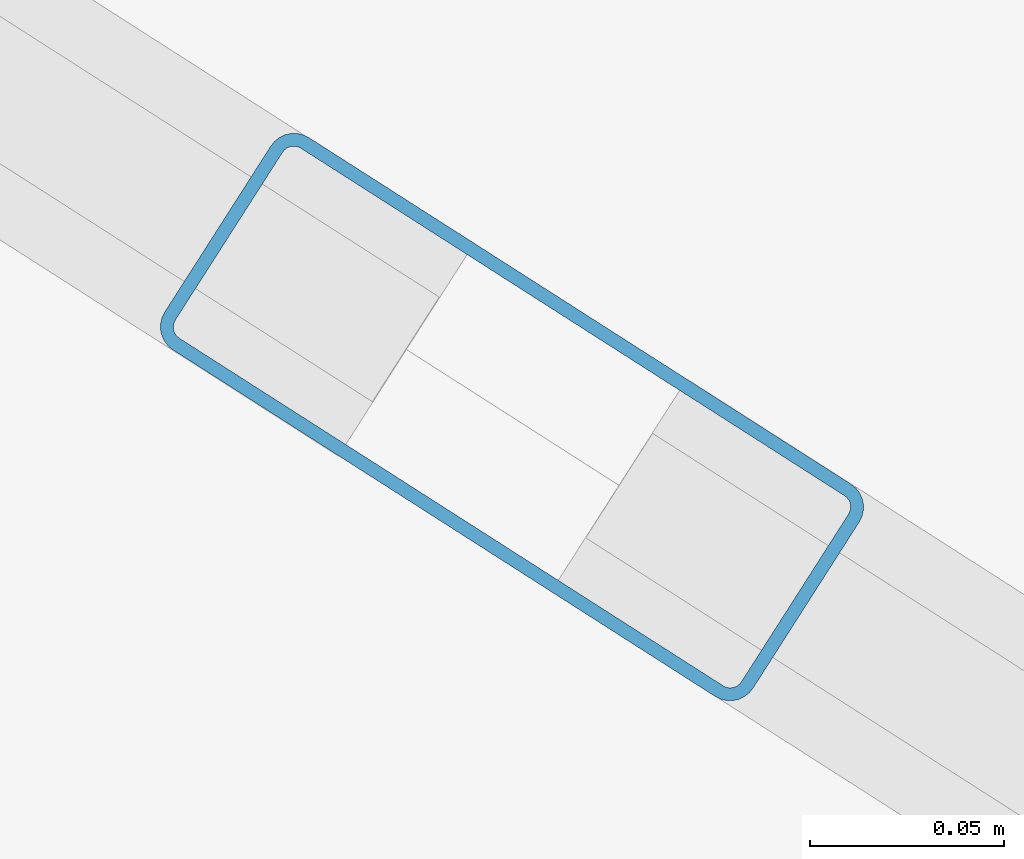
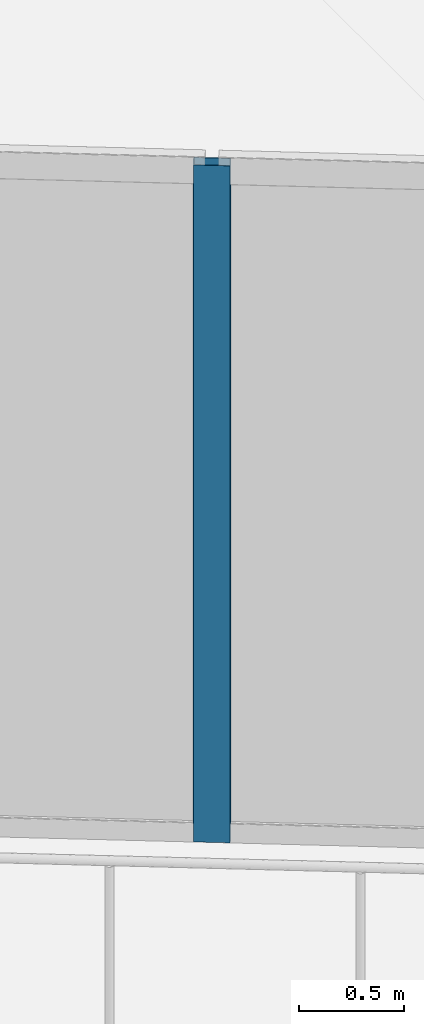
# One storey, part 8 of 45: 1 member, 1 element without a shape of its own.
"""IFC4 building model written with IfcOpenShell, lengths in metres."""

from ifc_helpers import new_model, si_unit, direction, frame, origin, origin_2d, place, context, subcontext, project, spatial, hollow_rectangle, extrude, material, layer, layer_set, material_profile, profile_set, type_object, element, aggregate, save


model = new_model("IFC4")

# Units and contexts
model_context = context("Model", 3, precision=1e-05, world=origin(), true_north=direction((0.0, 1.0)))
body_context = subcontext(model_context, "Body", "Model", "MODEL_VIEW")
ifc_project = project(units=[si_unit("LENGTHUNIT", "METRE"), si_unit("AREAUNIT", "SQUARE_METRE"), si_unit("VOLUMEUNIT", "CUBIC_METRE"), si_unit("PLANEANGLEUNIT", "RADIAN"), si_unit("MASSUNIT", "GRAM", prefix="KILO")], contexts=[model_context])

# Site, building, storey
site_placement = place(None, origin())
site = spatial("IfcSite", under=ifc_project, at=site_placement, CompositionType="ELEMENT")
building_placement = place(site_placement, origin())
building = spatial("IfcBuilding", under=site, at=building_placement, Name="Qorvath Tower", CompositionType="ELEMENT")
storey_placement = place(building_placement, frame((0.0, 0.0, 66.0)))
storey = spatial("IfcBuildingStorey", under=building, at=storey_placement, Name="L14", CompositionType="ELEMENT", Elevation=66.0)

# Curtain wall, member
ifc_material_1 = material(Name="Anodised aluminium and triple low-E glass", Category="aluminium")
ifc_layer = layer(ifc_material_1, 0.179931640625)
ifc_layer_set = layer_set([ifc_layer], Name="CW-SYS-2")
curtain_wall_type = type_object("IfcCurtainWallType", Name="CW-SYS-2", PredefinedType="NOTDEFINED", material=ifc_layer_set)
curtain_wall_placement = place(storey_placement, origin())
curtain_wall = element("IfcCurtainWall", 1, at=curtain_wall_placement, inside=storey, type_object=curtain_wall_type, Name="Curtain Wall CW-2 CW-T-L14-2.2", PredefinedType="NOTDEFINED")
ifc_material_2 = material(Name="Anodised aluminium 6063-T6", Category="aluminium")
ifc_material_profile = material_profile(ifc_material_2, hollow_rectangle(XDim=0.06494140625, YDim=0.179931640625, WallThickness=0.00341796875, InnerFilletRadius=0.00341796875, OuterFilletRadius=0.007080078125, at=origin_2d()), Name="CWM 180x65")
ifc_profile_set = profile_set([ifc_material_profile], Name="Anodised aluminium 6063-T6")
member_type = type_object("IfcMemberType", Name="CWM-180", PredefinedType="MULLION", material=ifc_profile_set)
member_placement = place(storey_placement, frame((-30.03955078125, -23.02197265625, 0.0), z_axis=(0.0, 0.0, 1.0), x_axis=(0.538537072857, 0.842601816494, 0.0)))
member = element("IfcMember", 2, at=member_placement, type_object=member_type, Name="CW-2 mullion 3", PredefinedType="MULLION", context=body_context, shape_type="SweptSolid", body=[
    extrude(hollow_rectangle(XDim=0.06494140625, YDim=0.179931640625, WallThickness=0.00341796875, InnerFilletRadius=0.00341796875, OuterFilletRadius=0.007080078125, at=origin_2d()), origin(), (0.0, 0.0, 1.0), 3.919921875),
])
aggregate(curtain_wall, [member])

save(model, "model.ifc")
